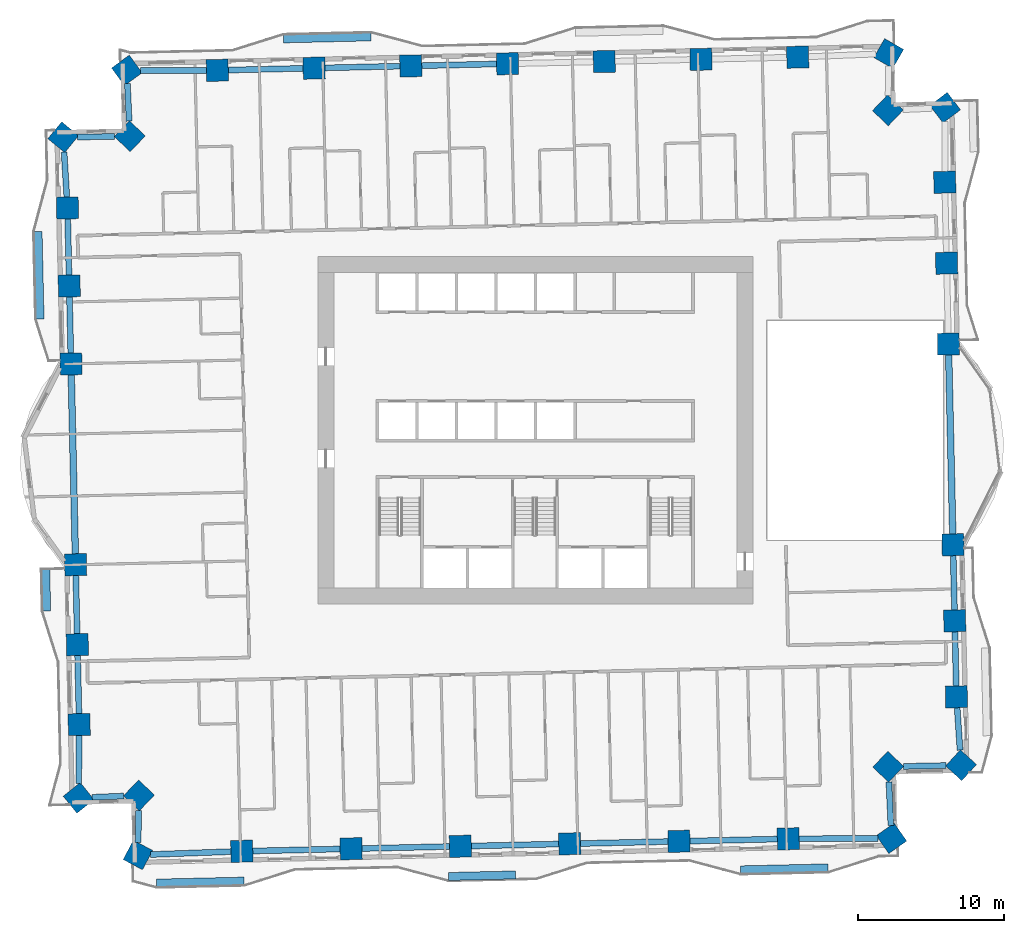
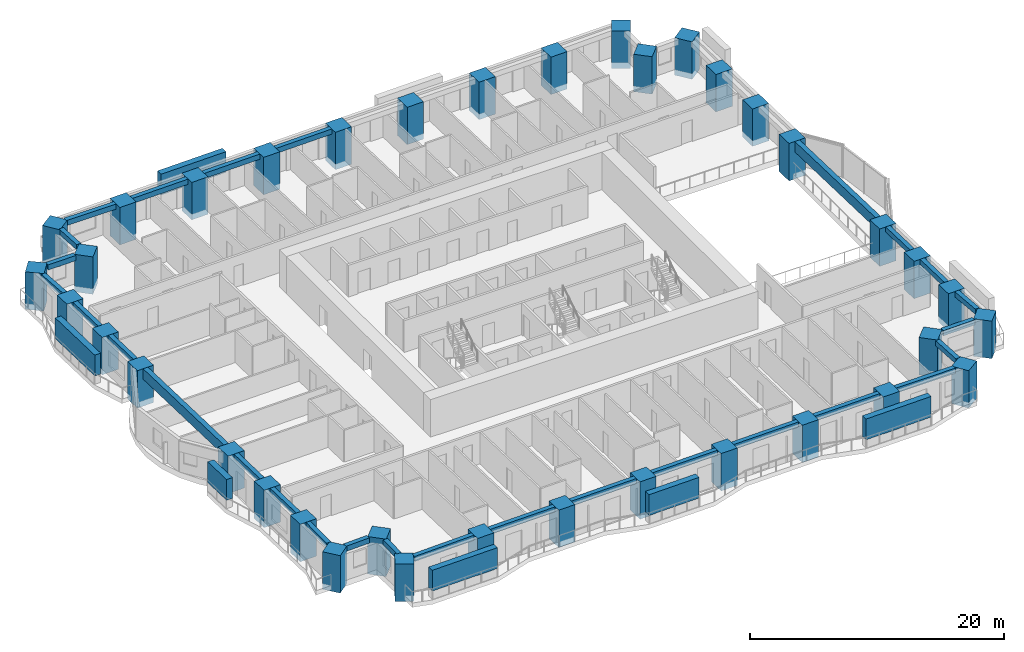
# One storey, part 1 of 16: 37 columns, 28 beams, 6 members.
"""IFC4 building model written with IfcOpenShell, lengths in metres."""

from ifc_helpers import new_model, si_unit, direction, frame, origin, origin_2d, place, context, subcontext, project, spatial, rectangle, extrude, material, material_profile, profile_set, type_object, element, save


model = new_model("IFC4")

# Units and contexts
model_context = context("Model", 3, precision=1e-05, world=origin(), true_north=direction((0.0, 1.0)))
body_context = subcontext(model_context, "Body", "Model", "MODEL_VIEW")
ifc_project = project(units=[si_unit("LENGTHUNIT", "METRE"), si_unit("AREAUNIT", "SQUARE_METRE"), si_unit("VOLUMEUNIT", "CUBIC_METRE"), si_unit("PLANEANGLEUNIT", "RADIAN"), si_unit("MASSUNIT", "GRAM", prefix="KILO")], contexts=[model_context])

# Site, building, storey
site_placement = place(None, origin())
site = spatial("IfcSite", under=ifc_project, at=site_placement, CompositionType="ELEMENT")
building_placement = place(site_placement, origin())
building = spatial("IfcBuilding", under=site, at=building_placement, Name="Mangrove Gate Tower", CompositionType="ELEMENT")
storey_placement = place(building_placement, frame((0.0, 0.0, 44.89990234375)))
storey = spatial("IfcBuildingStorey", under=building, at=storey_placement, Name="L10", CompositionType="ELEMENT", Elevation=44.89990234375)

# Columns
ifc_material_1 = material(Name="Concrete C70/85", Category="concrete")
ifc_material_profile_1 = material_profile(ifc_material_1, rectangle(XDim=1.5, YDim=1.5, at=origin_2d()))
ifc_profile_set_1 = profile_set([ifc_material_profile_1], Name="Concrete C70/85")
column_type = type_object("IfcColumnType", Name="Column RC 1500x1500 C70/85", PredefinedType="COLUMN", material=ifc_profile_set_1)
for number, where, z_axis, x_axis, name in (
    (1, (-31.486083984375, -9.205078125, -0.5498046875), (0.0, 0.0, 1.0), (0.022677684385, -0.999742828247, 0.0), "Column L10 W06"),
    (2, (-31.3623046875, -14.678955078125, -0.5498046875), (0.0, 0.0, 1.0), (0.022648789156, -0.999743483274, 0.0), "Column L10 W07"),
    (3, (-31.23828125, -20.15185546875, -0.5498046875), (0.0, 0.0, 1.0), (0.022740081264, -0.999741410918, 0.0), "Column L10 W08"),
    (4, (-31.2783203125, -25.173095703125, -0.5498046875), (0.0, 0.0, 1.0), (0.626513761853, -0.779410358033, 0.0), "Column L10 W09"),
    (5, (-27.14697265625, -25.004638671875, -0.5498046875), (0.0, 0.0, 1.0), (0.723003777622, -0.690844076144, 0.0), "Column L10 W10"),
    (6, (-27.217041015625, -29.083740234375, -0.5498046875), (0.0, 0.0, 1.0), (0.88296485665, -0.469439092877, 0.0), "Column L10 S01"),
    (7, (-20.10205078125, -28.8271484375, -0.5498046875), (0.0, 0.0, 1.0), (0.999743591179, 0.022644025629, 0.0), "Column L10 S02"),
    (8, (-12.619140625, -28.6572265625, -0.5498046875), (0.0, 0.0, 1.0), (0.999742076866, 0.022710784754, 0.0), "Column L10 S03"),
    (9, (-5.135009765625, -28.4873046875, -0.5498046875), (0.0, 0.0, 1.0), (0.999742111349, 0.022709266709, 0.0), "Column L10 S04"),
    (10, (2.348876953125, -28.317138671875, -0.5498046875), (0.0, 0.0, 1.0), (0.999742111349, 0.022709266709, 0.0), "Column L10 S05"),
    (11, (9.8330078125, -28.147216796875, -0.5498046875), (0.0, 0.0, 1.0), (0.999742076866, 0.022710784754, 0.0), "Column L10 S06"),
    (12, (17.31591796875, -27.977294921875, -0.5498046875), (0.0, 0.0, 1.0), (0.999743591179, 0.022644025629, 0.0), "Column L10 S07"),
    (13, (24.386474609375, -27.94384765625, -0.5498046875), (0.0, 0.0, 1.0), (0.818798537757, 0.574080965166, 0.0), "Column L10 S08"),
    (14, (24.161865234375, -23.040771484375, -0.5498046875), (0.0, 0.0, 1.0), (0.690875836988, 0.722973428188, 0.0), "Column L10 E01"),
    (15, (29.150390625, -22.93798828125, -0.5498046875), (0.0, 0.0, 1.0), (0.675975496551, 0.736924099255, 0.0), "Column L10 E02"),
    (16, (28.834228515625, -18.256103515625, -0.5498046875), (0.0, 0.0, 1.0), (-0.022754110081, 0.99974109172, 0.0), "Column L10 E03"),
    (17, (28.71630859375, -13.049072265625, -0.5498046875), (0.0, 0.0, 1.0), (-0.022655978068, 0.999743320387, 0.0), "Column L10 E04"),
    (18, (28.59814453125, -7.842041015625, -0.5498046875), (0.0, 0.0, 1.0), (-0.022680668131, 0.999742760561, 0.0), "Column L10 E05"),
    (19, (28.2861328125, 5.905029296875, -0.5498046875), (0.0, 0.0, 1.0), (-0.022703735442, 0.999742236978, 0.0), "Column L10 E06"),
    (20, (28.16015625, 11.445068359375, -0.5498046875), (0.0, 0.0, 1.0), (-0.022645578574, 0.999743556004, 0.0), "Column L10 E07"),
    (21, (28.03515625, 16.986083984375, -0.5498046875), (0.0, 0.0, 1.0), (-0.022645578574, 0.999743556004, 0.0), "Column L10 E08"),
    (22, (28.06103515625, 22.09033203125, -0.5498046875), (0.0, 0.0, 1.0), (-0.60357593887, 0.797305516109, 0.0), "Column L10 E09"),
    (23, (24.141845703125, 21.90966796875, -0.5498046875), (0.0, 0.0, 1.0), (-0.723010312757, 0.690837236726, 0.0), "Column L10 E10"),
    (24, (24.196044921875, 25.80029296875, -0.5498046875), (0.0, 0.0, 1.0), (-0.867550504106, 0.497349095531, 0.0), "Column L10 N01"),
    (25, (17.963134765625, 25.55126953125, -0.5498046875), (0.0, 0.0, 1.0), (-0.999741913532, -0.022717973655, 0.0), "Column L10 N02"),
    (26, (11.340087890625, 25.400146484375, -0.5498046875), (0.0, 0.0, 1.0), (-0.999741952388, -0.022716263674, 0.0), "Column L10 N03"),
    (27, (4.716064453125, 25.250244140625, -0.5498046875), (0.0, 0.0, 1.0), (-0.999743663498, -0.022640832496, 0.0), "Column L10 N04"),
    (28, (-1.906982421875, 25.10009765625, -0.5498046875), (0.0, 0.0, 1.0), (-0.999741913532, -0.022717973655, 0.0), "Column L10 N05"),
    (29, (-8.530029296875, 24.94921875, -0.5498046875), (0.0, 0.0, 1.0), (-0.999741952388, -0.022716263674, 0.0), "Column L10 N06"),
    (30, (-15.154052734375, 24.799072265625, -0.5498046875), (0.0, 0.0, 1.0), (-0.999743663498, -0.022640832496, 0.0), "Column L10 N07"),
    (31, (-21.777099609375, 24.649169921875, -0.5498046875), (0.0, 0.0, 1.0), (-0.999743624771, -0.02264254248, 0.0), "Column L10 N08"),
    (32, (-27.975341796875, 24.642822265625, -0.5498046875), (0.0, 0.0, 1.0), (-0.808269368168, -0.588812897686, 0.0), "Column L10 N09"),
    (33, (-27.770751953125, 20.1318359375, -0.5498046875), (0.0, 0.0, 1.0), (-0.690863130287, -0.722985570541, 0.0), "Column L10 W01"),
    (34, (-32.332763671875, 20.068603515625, -0.5498046875), (0.0, 0.0, 1.0), (-0.63510539695, -0.772425488164, 0.0), "Column L10 W02"),
    (35, (-32.040283203125, 15.22216796875, -0.5498046875), (0.0, 0.0, 1.0), (0.022746921185, -0.999741255314, 0.0), "Column L10 W03"),
    (36, (-31.919189453125, 9.882080078125, -0.5498046875), (0.0, 0.0, 1.0), (0.022653360746, -0.999743379696, 0.0), "Column L10 W04"),
    (37, (-31.798095703125, 4.5419921875, -0.5498046875), (0.0, 0.0, 1.0), (0.022679760793, -0.999742781144, 0.0), "Column L10 W05"),
):
    element("IfcColumn", number, at=place(storey_placement, frame(where, z_axis=z_axis, x_axis=x_axis)), inside=storey, type_object=column_type, Name=name, PredefinedType="COLUMN", context=body_context, shape_type="SweptSolid", body=[
        extrude(rectangle(XDim=1.5, YDim=1.5, at=origin_2d()), origin(), (0.0, 0.0, 1.0), 3.599853515625),
    ])

# Members
ifc_material_2 = material(Name="Planting on aluminium trellis", Category="aluminium")
ifc_material_profile_2 = material_profile(ifc_material_2, rectangle(XDim=0.550048828125, YDim=2.0, at=origin_2d()))
ifc_profile_set_2 = profile_set([ifc_material_profile_2], Name="Planting on aluminium trellis")
member_type = type_object("IfcMemberType", Name="Balcony greenery screen 550x2000", PredefinedType="USERDEFINED", material=ifc_profile_set_2)
member_1_placement = place(storey_placement, frame((-17.2490234375, 26.802001953125, 1.800048828125), z_axis=(0.999743094499, 0.022665943652, 0.0), x_axis=(-0.022665943652, 0.999743094499, 0.0)))
element("IfcMember", 38, at=member_1_placement, inside=storey, type_object=member_type, Name="GREEN SCREEN L10 N1.1", ObjectType="PLANTING", PredefinedType="USERDEFINED", context=body_context, shape_type="SweptSolid", body=[
    extrude(rectangle(XDim=0.550048828125, YDim=2.0, at=origin_2d()), origin(), (0.0, 0.0, 1.0), 5.99951171875),
])
member_2_placement = place(storey_placement, frame((-33.91796875, 7.6201171875, 1.800048828125), z_axis=(-0.022666865795, 0.999743073592, 0.0), x_axis=(-0.999743073592, -0.022666865795, 0.0)))
element("IfcMember", 39, at=member_2_placement, inside=storey, type_object=member_type, Name="GREEN SCREEN L10 W0.1", ObjectType="PLANTING", PredefinedType="USERDEFINED", context=body_context, shape_type="SweptSolid", body=[
    extrude(rectangle(XDim=0.550048828125, YDim=2.0, at=origin_2d()), origin(), (0.0, 0.0, 1.0), 5.999267578125),
])
member_3_placement = place(storey_placement, frame((-33.464111328125, -12.375, 1.800048828125), z_axis=(-0.022929749512, 0.99973707873, 0.0), x_axis=(-0.99973707873, -0.022929749512, 0.0)))
element("IfcMember", 40, at=member_3_placement, inside=storey, type_object=member_type, Name="GREEN SCREEN L10 W1.1", ObjectType="PLANTING", PredefinedType="USERDEFINED", context=body_context, shape_type="SweptSolid", body=[
    extrude(rectangle(XDim=0.550048828125, YDim=2.0, at=origin_2d()), origin(), (0.0, 0.0, 1.0), 2.874755859375),
])
member_4_placement = place(storey_placement, frame((-25.94091796875, -31.009033203125, 1.800048828125), z_axis=(0.999743178102, 0.022662255828, 0.0), x_axis=(-0.022662255828, 0.999743178102, 0.0)))
element("IfcMember", 41, at=member_4_placement, inside=storey, type_object=member_type, Name="GREEN SCREEN L10 S0.1", ObjectType="PLANTING", PredefinedType="USERDEFINED", context=body_context, shape_type="SweptSolid", body=[
    extrude(rectangle(XDim=0.550048828125, YDim=2.0, at=origin_2d()), origin(), (0.0, 0.0, 1.0), 6.00048828125),
])
member_5_placement = place(storey_placement, frame((-5.946044921875, -30.555908203125, 1.800048828125), z_axis=(0.999739584003, 0.022820258049, 0.0), x_axis=(-0.022820258049, 0.999739584003, 0.0)))
element("IfcMember", 42, at=member_5_placement, inside=storey, type_object=member_type, Name="GREEN SCREEN L10 S0.2", ObjectType="PLANTING", PredefinedType="USERDEFINED", context=body_context, shape_type="SweptSolid", body=[
    extrude(rectangle(XDim=0.550048828125, YDim=2.0, at=origin_2d()), origin(), (0.0, 0.0, 1.0), 4.600341796875),
])
member_6_placement = place(storey_placement, frame((14.049072265625, -30.10205078125, 1.800048828125), z_axis=(0.999743178102, 0.022662255828, 0.0), x_axis=(-0.022662255828, 0.999743178102, 0.0)))
element("IfcMember", 43, at=member_6_placement, inside=storey, type_object=member_type, Name="GREEN SCREEN L10 S1.1", ObjectType="PLANTING", PredefinedType="USERDEFINED", context=body_context, shape_type="SweptSolid", body=[
    extrude(rectangle(XDim=0.550048828125, YDim=2.0, at=origin_2d()), origin(), (0.0, 0.0, 1.0), 6.00048828125),
])

# Beams
ifc_material_3 = material(Name="Concrete C50/60", Category="concrete")
ifc_material_profile_3 = material_profile(ifc_material_3, rectangle(XDim=0.39990234375, YDim=0.5, at=origin_2d()))
ifc_profile_set_3 = profile_set([ifc_material_profile_3], Name="Concrete C50/60")
beam_type_1 = type_object("IfcBeamType", Name="Edge beam RC 400x500 C50/60", PredefinedType="BEAM", material=ifc_profile_set_3)
beam_1_placement = place(storey_placement, frame((-31.46923828125, -9.954833984375, 2.800048828125), z_axis=(0.022661418989, -0.999743197071, 0.0), x_axis=(0.999743197071, 0.022661418989, 0.0)))
element("IfcBeam", 44, at=beam_1_placement, inside=storey, type_object=beam_type_1, Name="Edge beam L10 00", PredefinedType="BEAM", context=body_context, shape_type="SweptSolid", body=[
    extrude(rectangle(XDim=0.39990234375, YDim=0.5, at=origin_2d()), origin(), (0.0, 0.0, 1.0), 3.975341796875),
])
beam_2_placement = place(storey_placement, frame((-31.34521484375, -15.4287109375, 2.800048828125), z_axis=(0.022666985754, -0.999743070872, 0.0), x_axis=(0.999743070872, 0.022666985754, 0.0)))
element("IfcBeam", 45, at=beam_2_placement, inside=storey, type_object=beam_type_1, Name="Edge beam L10 01", PredefinedType="BEAM", context=body_context, shape_type="SweptSolid", body=[
    extrude(rectangle(XDim=0.39990234375, YDim=0.5, at=origin_2d()), origin(), (0.0, 0.0, 1.0), 3.974365234375),
])
beam_3_placement = place(storey_placement, frame((-31.244140625, -20.90234375, 2.800048828125), z_axis=(-0.008058292247, -0.999967531436, 0.0), x_axis=(0.999967531436, -0.008058292247, 0.0)))
element("IfcBeam", 46, at=beam_3_placement, inside=storey, type_object=beam_type_1, Name="Edge beam L10 02", PredefinedType="BEAM", context=body_context, shape_type="SweptSolid", body=[
    extrude(rectangle(XDim=0.39990234375, YDim=0.5, at=origin_2d()), origin(), (0.0, 0.0, 1.0), 3.30224609375),
])
beam_4_placement = place(storey_placement, frame((-30.3466796875, -25.13525390625, 2.800048828125), z_axis=(0.99916758317, 0.040793881195, 0.0), x_axis=(-0.040793881195, 0.99916758317, 0.0)))
element("IfcBeam", 47, at=beam_4_placement, inside=storey, type_object=beam_type_1, Name="Edge beam L10 03", PredefinedType="BEAM", context=body_context, shape_type="SweptSolid", body=[
    extrude(rectangle(XDim=0.39990234375, YDim=0.5, at=origin_2d()), origin(), (0.0, 0.0, 1.0), 2.160400390625),
])
beam_5_placement = place(storey_placement, frame((-27.164306640625, -26.025390625, 2.800048828125), z_axis=(-0.017179973178, -0.99985241337, 0.0), x_axis=(0.99985241337, -0.017179973178, 0.0)))
element("IfcBeam", 48, at=beam_5_placement, inside=storey, type_object=beam_type_1, Name="Edge beam L10 04", PredefinedType="BEAM", context=body_context, shape_type="SweptSolid", body=[
    extrude(rectangle(XDim=0.39990234375, YDim=0.5, at=origin_2d()), origin(), (0.0, 0.0, 1.0), 2.216796875),
])
beam_6_placement = place(storey_placement, frame((-26.350830078125, -29.052490234375, 2.800048828125), z_axis=(0.999350873357, 0.036025434369, 0.0), x_axis=(-0.036025434369, 0.999350873357, 0.0)))
element("IfcBeam", 49, at=beam_6_placement, inside=storey, type_object=beam_type_1, Name="Edge beam L10 05", PredefinedType="BEAM", context=body_context, shape_type="SweptSolid", body=[
    extrude(rectangle(XDim=0.39990234375, YDim=0.5, at=origin_2d()), origin(), (0.0, 0.0, 1.0), 5.5029296875),
])
beam_7_placement = place(storey_placement, frame((-19.352294921875, -28.81005859375, 2.800048828125), z_axis=(0.999742761337, 0.022680633887, 0.0), x_axis=(-0.022680633887, 0.999742761337, 0.0)))
element("IfcBeam", 50, at=beam_7_placement, inside=storey, type_object=beam_type_1, Name="Edge beam L10 06", PredefinedType="BEAM", context=body_context, shape_type="SweptSolid", body=[
    extrude(rectangle(XDim=0.39990234375, YDim=0.5, at=origin_2d()), origin(), (0.0, 0.0, 1.0), 5.98486328125),
])
for number, where, z_axis, x_axis, name in (
    (51, (-11.869140625, -28.64013671875, 2.800048828125), (0.999741919763, 0.022717699466, 0.0), (-0.022717699466, 0.999741919763, 0.0), "Edge beam L10 07"),
    (52, (-4.38525390625, -28.47021484375, 2.800048828125), (0.999741919763, 0.022717699466, 0.0), (-0.022717699466, 0.999741919763, 0.0), "Edge beam L10 08"),
    (53, (3.098876953125, -28.300048828125, 2.800048828125), (0.999742845253, 0.022676934643, 0.0), (-0.022676934643, 0.999742845253, 0.0), "Edge beam L10 09"),
):
    element("IfcBeam", number, at=place(storey_placement, frame(where, z_axis=z_axis, x_axis=x_axis)), inside=storey, type_object=beam_type_1, Name=name, PredefinedType="BEAM", context=body_context, shape_type="SweptSolid", body=[
        extrude(rectangle(XDim=0.39990234375, YDim=0.5, at=origin_2d()), origin(), (0.0, 0.0, 1.0), 5.98583984375),
    ])
beam_8_placement = place(storey_placement, frame((10.582763671875, -28.130126953125, 2.800048828125), z_axis=(0.999741835545, 0.022721405353, 0.0), x_axis=(-0.022721405353, 0.999741835545, 0.0)))
element("IfcBeam", 54, at=beam_8_placement, inside=storey, type_object=beam_type_1, Name="Edge beam L10 10", PredefinedType="BEAM", context=body_context, shape_type="SweptSolid", body=[
    extrude(rectangle(XDim=0.39990234375, YDim=0.5, at=origin_2d()), origin(), (0.0, 0.0, 1.0), 5.98486328125),
])
beam_9_placement = place(storey_placement, frame((18.066162109375, -27.9736328125, 2.800048828125), z_axis=(0.99998897546, 0.004695631815, 0.0), x_axis=(-0.004695631815, 0.99998897546, 0.0)))
element("IfcBeam", 55, at=beam_9_placement, inside=storey, type_object=beam_type_1, Name="Edge beam L10 11", PredefinedType="BEAM", context=body_context, shape_type="SweptSolid", body=[
    extrude(rectangle(XDim=0.39990234375, YDim=0.5, at=origin_2d()), origin(), (0.0, 0.0, 1.0), 5.4072265625),
])
beam_10_placement = place(storey_placement, frame((24.345703125, -27.056396484375, 2.800048828125), z_axis=(-0.045752937925, 0.998952786007, 0.0), x_axis=(-0.998952786007, -0.045752937925, 0.0)))
element("IfcBeam", 56, at=beam_10_placement, inside=storey, type_object=beam_type_1, Name="Edge beam L10 12", PredefinedType="BEAM", context=body_context, shape_type="SweptSolid", body=[
    extrude(rectangle(XDim=0.39990234375, YDim=0.5, at=origin_2d()), origin(), (0.0, 0.0, 1.0), 2.98291015625),
])
beam_11_placement = place(storey_placement, frame((25.219970703125, -23.01904296875, 2.800048828125), z_axis=(0.999788078566, 0.020586353685, 0.0), x_axis=(-0.020586353685, 0.999788078566, 0.0)))
element("IfcBeam", 57, at=beam_11_placement, inside=storey, type_object=beam_type_1, Name="Edge beam L10 13", PredefinedType="BEAM", context=body_context, shape_type="SweptSolid", body=[
    extrude(rectangle(XDim=0.39990234375, YDim=0.5, at=origin_2d()), origin(), (0.0, 0.0, 1.0), 2.893798828125),
])
beam_12_placement = place(storey_placement, frame((29.08056640625, -21.904541015625, 2.800048828125), z_axis=(-0.067377693501, 0.997727541175, 0.0), x_axis=(-0.997727541175, -0.067377693501, 0.0)))
element("IfcBeam", 58, at=beam_12_placement, inside=storey, type_object=beam_type_1, Name="Edge beam L10 14", PredefinedType="BEAM", context=body_context, shape_type="SweptSolid", body=[
    extrude(rectangle(XDim=0.39990234375, YDim=0.5, at=origin_2d()), origin(), (0.0, 0.0, 1.0), 2.906005859375),
])
beam_13_placement = place(storey_placement, frame((28.817138671875, -17.50634765625, 2.800048828125), z_axis=(-0.022646633415, 0.99974353211, 0.0), x_axis=(-0.99974353211, -0.022646633415, 0.0)))
element("IfcBeam", 59, at=beam_13_placement, inside=storey, type_object=beam_type_1, Name="Edge beam L10 15", PredefinedType="BEAM", context=body_context, shape_type="SweptSolid", body=[
    extrude(rectangle(XDim=0.39990234375, YDim=0.5, at=origin_2d()), origin(), (0.0, 0.0, 1.0), 3.70849609375),
])
beam_14_placement = place(storey_placement, frame((28.69921875, -12.299072265625, 2.800048828125), z_axis=(-0.022648124032, 0.999743498342, 0.0), x_axis=(-0.999743498342, -0.022648124032, 0.0)))
element("IfcBeam", 60, at=beam_14_placement, inside=storey, type_object=beam_type_1, Name="Edge beam L10 16", PredefinedType="BEAM", context=body_context, shape_type="SweptSolid", body=[
    extrude(rectangle(XDim=0.39990234375, YDim=0.5, at=origin_2d()), origin(), (0.0, 0.0, 1.0), 3.708251953125),
])
beam_15_placement = place(storey_placement, frame((-2.65673828125, 25.0830078125, 2.800048828125), z_axis=(-0.999740702985, -0.022771183457, 0.0), x_axis=(0.022771183457, -0.999740702985, 0.0)))
element("IfcBeam", 61, at=beam_15_placement, inside=storey, type_object=beam_type_1, Name="Edge beam L10 27", PredefinedType="BEAM", context=body_context, shape_type="SweptSolid", body=[
    extrude(rectangle(XDim=0.39990234375, YDim=0.5, at=origin_2d()), origin(), (0.0, 0.0, 1.0), 5.124755859375),
])
beam_16_placement = place(storey_placement, frame((-9.27978515625, 24.93212890625, 2.800048828125), z_axis=(-0.999744043843, -0.022624031483, 0.0), x_axis=(0.022624031483, -0.999744043843, 0.0)))
element("IfcBeam", 62, at=beam_16_placement, inside=storey, type_object=beam_type_1, Name="Edge beam L10 28", PredefinedType="BEAM", context=body_context, shape_type="SweptSolid", body=[
    extrude(rectangle(XDim=0.39990234375, YDim=0.5, at=origin_2d()), origin(), (0.0, 0.0, 1.0), 5.125732421875),
])
beam_17_placement = place(storey_placement, frame((-15.90380859375, 24.7822265625, 2.800048828125), z_axis=(-0.999743921904, -0.022629419247, 0.0), x_axis=(0.022629419247, -0.999743921904, 0.0)))
element("IfcBeam", 63, at=beam_17_placement, inside=storey, type_object=beam_type_1, Name="Edge beam L10 29", PredefinedType="BEAM", context=body_context, shape_type="SweptSolid", body=[
    extrude(rectangle(XDim=0.39990234375, YDim=0.5, at=origin_2d()), origin(), (0.0, 0.0, 1.0), 5.12451171875),
])
beam_18_placement = place(storey_placement, frame((-22.527099609375, 24.6484375, 2.800048828125), z_axis=(-0.999999473633, -0.001026028189, 0.0), x_axis=(0.001026028189, -0.999999473633, 0.0)))
element("IfcBeam", 64, at=beam_18_placement, inside=storey, type_object=beam_type_1, Name="Edge beam L10 30", PredefinedType="BEAM", context=body_context, shape_type="SweptSolid", body=[
    extrude(rectangle(XDim=0.39990234375, YDim=0.5, at=origin_2d()), origin(), (0.0, 0.0, 1.0), 4.52099609375),
])
beam_19_placement = place(storey_placement, frame((-27.9345703125, 23.74462890625, 2.800048828125), z_axis=(0.045248783109, -0.998975749269, 0.0), x_axis=(0.998975749269, 0.045248783109, 0.0)))
element("IfcBeam", 65, at=beam_19_placement, inside=storey, type_object=beam_type_1, Name="Edge beam L10 31", PredefinedType="BEAM", context=body_context, shape_type="SweptSolid", body=[
    extrude(rectangle(XDim=0.39990234375, YDim=0.5, at=origin_2d()), origin(), (0.0, 0.0, 1.0), 2.5791015625),
])
beam_20_placement = place(storey_placement, frame((-28.822021484375, 20.1171875, 2.800048828125), z_axis=(-0.9999046958, -0.013805771121, 0.0), x_axis=(0.013805771121, -0.9999046958, 0.0)))
element("IfcBeam", 66, at=beam_20_placement, inside=storey, type_object=beam_type_1, Name="Edge beam L10 32", PredefinedType="BEAM", context=body_context, shape_type="SweptSolid", body=[
    extrude(rectangle(XDim=0.39990234375, YDim=0.5, at=origin_2d()), origin(), (0.0, 0.0, 1.0), 2.52880859375),
])
beam_21_placement = place(storey_placement, frame((-32.27099609375, 19.047119140625, 2.800048828125), z_axis=(0.060212796907, -0.998185563454, 0.0), x_axis=(0.998185563454, 0.060212796907, 0.0)))
element("IfcBeam", 67, at=beam_21_placement, inside=storey, type_object=beam_type_1, Name="Edge beam L10 33", PredefinedType="BEAM", context=body_context, shape_type="SweptSolid", body=[
    extrude(rectangle(XDim=0.39990234375, YDim=0.5, at=origin_2d()), origin(), (0.0, 0.0, 1.0), 3.08154296875),
])
for number, where, z_axis, x_axis, name in (
    (68, (-32.023193359375, 14.47216796875, 2.800048828125), (0.022626119694, -0.999743996585, 0.0), (0.999743996585, 0.022626119694, 0.0), "Edge beam L10 34"),
    (69, (-31.902099609375, 9.132080078125, 2.800048828125), (0.022626119694, -0.999743996585, 0.0), (0.999743996585, 0.022626119694, 0.0), "Edge beam L10 35"),
):
    element("IfcBeam", number, at=place(storey_placement, frame(where, z_axis=z_axis, x_axis=x_axis)), inside=storey, type_object=beam_type_1, Name=name, PredefinedType="BEAM", context=body_context, shape_type="SweptSolid", body=[
        extrude(rectangle(XDim=0.39990234375, YDim=0.5, at=origin_2d()), origin(), (0.0, 0.0, 1.0), 3.84130859375),
    ])
ifc_material_4 = material(Name="Concrete C50/60", Category="concrete")
ifc_material_profile_4 = material_profile(ifc_material_4, rectangle(XDim=0.449951171875, YDim=1.0, at=origin_2d()))
ifc_profile_set_4 = profile_set([ifc_material_profile_4], Name="Concrete C50/60")
beam_type_2 = type_object("IfcBeamType", Name="Edge beam RC 450x1000 C50/60", PredefinedType="BEAM", material=ifc_profile_set_4)
beam_22_placement = place(storey_placement, frame((28.5810546875, -7.09228515625, 2.550048828125), z_axis=(-0.022678852378, 0.999742801752, 0.0), x_axis=(-0.999742801752, -0.022678852378, 0.0)))
element("IfcBeam", 70, at=beam_22_placement, inside=storey, type_object=beam_type_2, Name="Edge beam L10 17", PredefinedType="BEAM", context=body_context, shape_type="SweptSolid", body=[
    extrude(rectangle(XDim=0.449951171875, YDim=1.0, at=origin_2d()), origin(), (0.0, 0.0, 1.0), 12.250732421875),
])
beam_23_placement = place(storey_placement, frame((-31.78125, 3.792236328125, 2.550048828125), z_axis=(0.022699223056, -0.999742339442, 0.0), x_axis=(0.999742339442, 0.022699223056, 0.0)))
element("IfcBeam", 71, at=beam_23_placement, inside=storey, type_object=beam_type_2, Name="Edge beam L10 36", PredefinedType="BEAM", context=body_context, shape_type="SweptSolid", body=[
    extrude(rectangle(XDim=0.449951171875, YDim=1.0, at=origin_2d()), origin(), (0.0, 0.0, 1.0), 12.25048828125),
])

save(model, "model.ifc")
